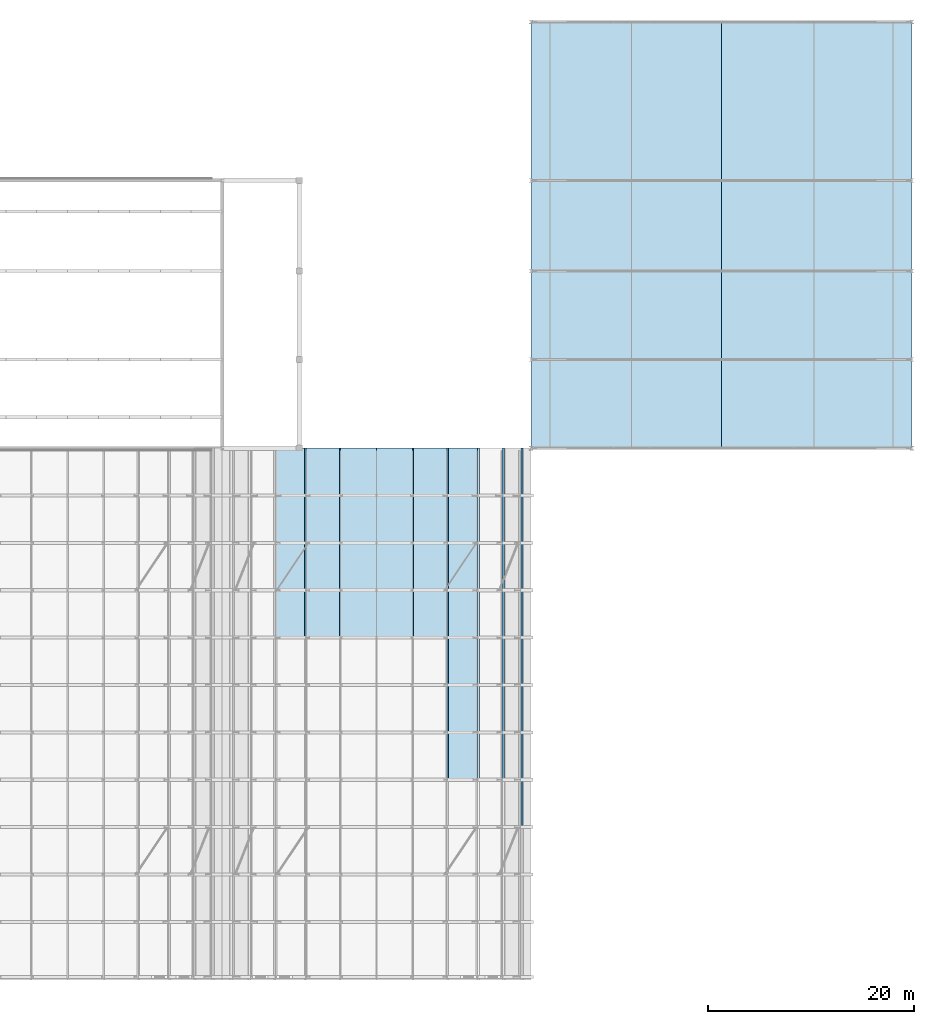
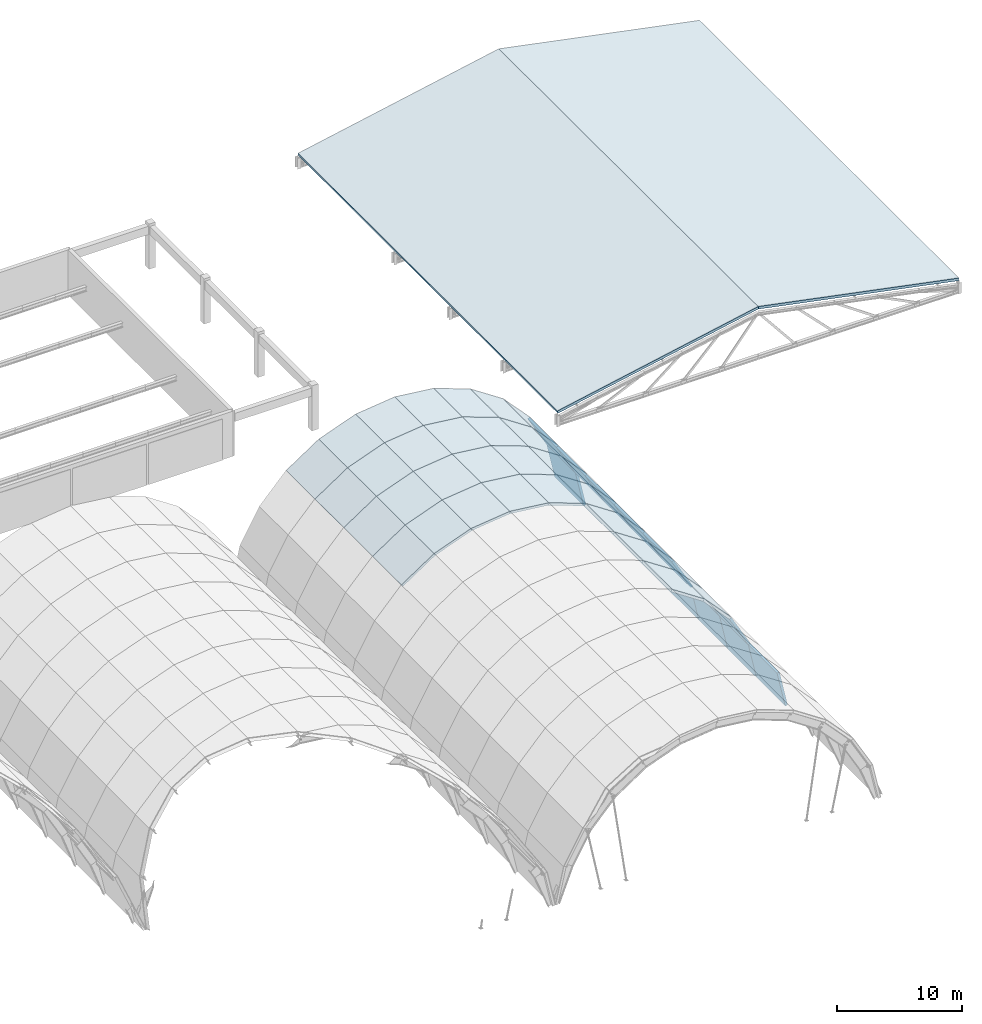
# One storey, part 25 of 47: 51 slabs, 2 elements without a shape of their own.
"""IFC4 building model written with IfcOpenShell, lengths in metres."""

from ifc_helpers import new_model, si_unit, direction, frame, origin, place, context, subcontext, project, spatial, polyline, outline, extrude, material, layer, layer_set, type_object, element, aggregate, save


model = new_model("IFC4")

# Units and contexts
model_context = context("Model", 3, precision=1e-05, world=origin(), true_north=direction((0.0, 1.0)))
body_context = subcontext(model_context, "Body", "Model", "MODEL_VIEW")
ifc_project = project(units=[si_unit("LENGTHUNIT", "METRE"), si_unit("AREAUNIT", "SQUARE_METRE"), si_unit("VOLUMEUNIT", "CUBIC_METRE"), si_unit("PLANEANGLEUNIT", "RADIAN"), si_unit("MASSUNIT", "GRAM", prefix="KILO")], contexts=[model_context])

# Site, building, storey
site_placement = place(None, origin())
site = spatial("IfcSite", under=ifc_project, at=site_placement, CompositionType="ELEMENT")
building_placement = place(site_placement, origin())
building = spatial("IfcBuilding", under=site, at=building_placement, Name="Muzn Square Opera House", CompositionType="ELEMENT")
storey_placement = place(building_placement, frame((0.0, 0.0, 31.0)))
storey = spatial("IfcBuildingStorey", under=building, at=storey_placement, Name="RF-1", CompositionType="ELEMENT", Elevation=31.0)

# Roof, slabs
ifc_material_1 = material(Name="Patina green copper-zinc standing seam", Category="metal")
roof_type_1 = type_object("IfcRoofType", Name="Barrel Vault Roof Assembly", PredefinedType="BARREL_ROOF", material=ifc_material_1)
roof_1_placement = place(storey_placement, origin())
roof_1 = element("IfcRoof", 1, at=roof_1_placement, inside=storey, type_object=roof_type_1, Name="East Foyer Barrel Vault Roof Assembly", PredefinedType="BARREL_ROOF")
ifc_material_2 = material(Name="Concrete C40/50", Category="concrete")
ifc_layer_1 = layer(ifc_material_2, 0.219970703125, Name="Concrete C40/50", Category="concrete")
ifc_layer_set_1 = layer_set([ifc_layer_1], Name="Concrete C40/50")
slab_type_1 = type_object("IfcSlabType", Name="Barrel Vault Roof Slab 220mm", PredefinedType="ROOF", material=ifc_layer_set_1)
slab_1_placement = place(storey_placement, frame((132.219970703125, 35.800048828125, -9.03564453125), z_axis=(0.97702538959, 0.0, 0.213122941272), x_axis=(0.213122941272, 0.0, -0.97702538959)))
slab_1 = element("IfcSlab", 2, at=slab_1_placement, type_object=slab_type_1, Name="Barrel Vault Roof Deck Strip V3-03-F11", PredefinedType="ROOF", context=body_context, shape_type="SweptSolid", body=[
    extrude(outline(polyline([(0.0, 0.0), (3.5523162058829336, 0.0), (3.5523162058829336, 4.599853515625), (0.0, 4.599853515625), (0.0, 0.0)])), origin(), (0.0, 0.0, -1.0), 0.219970703125),
])
slab_2_placement = place(storey_placement, frame((124.97607421875, 40.39990234375, -1.248046875), z_axis=(0.553701293488, 0.0, 0.832715364089), x_axis=(0.832715364089, 0.0, -0.553701293488)))
slab_2 = element("IfcSlab", 3, at=slab_2_placement, type_object=slab_type_1, Name="Barrel Vault Roof Deck Strip V3-04-F08", PredefinedType="ROOF", context=body_context, shape_type="SweptSolid", body=[
    extrude(outline(polyline([(0.0, 0.0), (3.611174007116638, 0.0), (3.611174007116638, 4.600097656249999), (0.0, 4.600097656249999), (0.0, 0.0)])), origin(), (0.0, 0.0, -1.0), 0.219970703125),
])
slab_3_placement = place(storey_placement, frame((127.983154296875, 40.39990234375, -3.24755859375), z_axis=(0.732198498352, 0.0, 0.681091300055), x_axis=(0.681091300055, 0.0, -0.732198498352)))
slab_3 = element("IfcSlab", 4, at=slab_3_placement, type_object=slab_type_1, Name="Barrel Vault Roof Deck Strip V3-04-F09", PredefinedType="ROOF", context=body_context, shape_type="SweptSolid", body=[
    extrude(outline(polyline([(0.0, 0.0), (3.611434761647482, 0.0), (3.611434761647482, 4.600097656250001), (0.0, 4.600097656250001), (0.0, 0.0)])), origin(), (0.0, 0.0, -1.0), 0.219970703125),
])
slab_4_placement = place(storey_placement, frame((130.44287109375, 40.39990234375, -5.891845703125), z_axis=(0.870542692247, 0.0, 0.492092898724), x_axis=(0.492092898724, 0.0, -0.870542692247)))
slab_4 = element("IfcSlab", 5, at=slab_4_placement, type_object=slab_type_1, Name="Barrel Vault Roof Deck Strip V3-04-F10", PredefinedType="ROOF", context=body_context, shape_type="SweptSolid", body=[
    extrude(outline(polyline([(0.0, 0.0), (3.611309193818898, 0.0), (3.611309193818898, 4.60009765625), (0.0, 4.60009765625), (0.0, 0.0)])), origin(), (0.0, 0.0, -1.0), 0.219970703125),
])
slab_5_placement = place(storey_placement, frame((132.219970703125, 40.39990234375, -9.03564453125), z_axis=(0.97702538959, 0.0, 0.213122941272), x_axis=(0.213122941272, 0.0, -0.97702538959)))
slab_5 = element("IfcSlab", 6, at=slab_5_placement, type_object=slab_type_1, Name="Barrel Vault Roof Deck Strip V3-04-F11", PredefinedType="ROOF", context=body_context, shape_type="SweptSolid", body=[
    extrude(outline(polyline([(0.0, 0.0), (3.5523162058829336, 0.0), (3.5523162058829336, 4.60009765625), (0.0, 4.60009765625), (0.0, 0.0)])), origin(), (0.0, 0.0, -1.0), 0.219970703125),
])
slab_6_placement = place(storey_placement, frame((124.97607421875, 45.0, -1.248046875), z_axis=(0.553701293488, 0.0, 0.832715364089), x_axis=(0.832715364089, 0.0, -0.553701293488)))
slab_6 = element("IfcSlab", 7, at=slab_6_placement, type_object=slab_type_1, Name="Barrel Vault Roof Deck Strip V3-05-F08", PredefinedType="ROOF", context=body_context, shape_type="SweptSolid", body=[
    extrude(outline(polyline([(0.0, 0.0), (3.611174007116638, 0.0), (3.611174007116638, 4.600097656249999), (0.0, 4.600097656249999), (0.0, 0.0)])), origin(), (0.0, 0.0, -1.0), 0.219970703125),
])
slab_7_placement = place(storey_placement, frame((127.983154296875, 45.0, -3.24755859375), z_axis=(0.732198498352, 0.0, 0.681091300055), x_axis=(0.681091300055, 0.0, -0.732198498352)))
slab_7 = element("IfcSlab", 8, at=slab_7_placement, type_object=slab_type_1, Name="Barrel Vault Roof Deck Strip V3-05-F09", PredefinedType="ROOF", context=body_context, shape_type="SweptSolid", body=[
    extrude(outline(polyline([(0.0, 0.0), (3.611434761647482, 0.0), (3.611434761647482, 4.600097656250001), (0.0, 4.600097656250001), (0.0, 0.0)])), origin(), (0.0, 0.0, -1.0), 0.219970703125),
])
slab_8_placement = place(storey_placement, frame((130.44287109375, 45.0, -5.891845703125), z_axis=(0.870542692247, 0.0, 0.492092898724), x_axis=(0.492092898724, 0.0, -0.870542692247)))
slab_8 = element("IfcSlab", 9, at=slab_8_placement, type_object=slab_type_1, Name="Barrel Vault Roof Deck Strip V3-05-F10", PredefinedType="ROOF", context=body_context, shape_type="SweptSolid", body=[
    extrude(outline(polyline([(0.0, 0.0), (3.611309193818898, 0.0), (3.611309193818898, 4.60009765625), (0.0, 4.60009765625), (0.0, 0.0)])), origin(), (0.0, 0.0, -1.0), 0.219970703125),
])
slab_9_placement = place(storey_placement, frame((132.219970703125, 45.0, -9.03564453125), z_axis=(0.97702538959, 0.0, 0.213122941272), x_axis=(0.213122941272, 0.0, -0.97702538959)))
slab_9 = element("IfcSlab", 10, at=slab_9_placement, type_object=slab_type_1, Name="Barrel Vault Roof Deck Strip V3-05-F11", PredefinedType="ROOF", context=body_context, shape_type="SweptSolid", body=[
    extrude(outline(polyline([(0.0, 0.0), (3.5523162058829336, 0.0), (3.5523162058829336, 4.60009765625), (0.0, 4.60009765625), (0.0, 0.0)])), origin(), (0.0, 0.0, -1.0), 0.219970703125),
])
slab_10_placement = place(storey_placement, frame((124.97607421875, 49.60009765625, -1.248046875), z_axis=(0.553701293488, 0.0, 0.832715364089), x_axis=(0.832715364089, 0.0, -0.553701293488)))
slab_10 = element("IfcSlab", 11, at=slab_10_placement, type_object=slab_type_1, Name="Barrel Vault Roof Deck Strip V3-06-F08", PredefinedType="ROOF", context=body_context, shape_type="SweptSolid", body=[
    extrude(outline(polyline([(0.0, 0.0), (3.611174007116638, 0.0), (3.611174007116638, 4.599853515625), (0.0, 4.599853515625), (0.0, 0.0)])), origin(), (0.0, 0.0, -1.0), 0.219970703125),
])
slab_11_placement = place(storey_placement, frame((127.983154296875, 49.60009765625, -3.24755859375), z_axis=(0.732198498352, 0.0, 0.681091300055), x_axis=(0.681091300055, 0.0, -0.732198498352)))
slab_11 = element("IfcSlab", 12, at=slab_11_placement, type_object=slab_type_1, Name="Barrel Vault Roof Deck Strip V3-06-F09", PredefinedType="ROOF", context=body_context, shape_type="SweptSolid", body=[
    extrude(outline(polyline([(0.0, 0.0), (3.611434761647482, 0.0), (3.611434761647482, 4.599853515625), (0.0, 4.599853515625), (0.0, 0.0)])), origin(), (0.0, 0.0, -1.0), 0.219970703125),
])
slab_12_placement = place(storey_placement, frame((130.44287109375, 49.60009765625, -5.891845703125), z_axis=(0.870542692247, 0.0, 0.492092898724), x_axis=(0.492092898724, 0.0, -0.870542692247)))
slab_12 = element("IfcSlab", 13, at=slab_12_placement, type_object=slab_type_1, Name="Barrel Vault Roof Deck Strip V3-06-F10", PredefinedType="ROOF", context=body_context, shape_type="SweptSolid", body=[
    extrude(outline(polyline([(0.0, 0.0), (3.611309193818898, 0.0), (3.611309193818898, 4.599853515625), (0.0, 4.599853515625), (0.0, 0.0)])), origin(), (0.0, 0.0, -1.0), 0.219970703125),
])
slab_13_placement = place(storey_placement, frame((132.219970703125, 49.60009765625, -9.03564453125), z_axis=(0.97702538959, 0.0, 0.213122941272), x_axis=(0.213122941272, 0.0, -0.97702538959)))
slab_13 = element("IfcSlab", 14, at=slab_13_placement, type_object=slab_type_1, Name="Barrel Vault Roof Deck Strip V3-06-F11", PredefinedType="ROOF", context=body_context, shape_type="SweptSolid", body=[
    extrude(outline(polyline([(0.0, 0.0), (3.5523162058829336, 0.0), (3.5523162058829336, 4.599853515625), (0.0, 4.599853515625), (0.0, 0.0)])), origin(), (0.0, 0.0, -1.0), 0.219970703125),
])
slab_14_placement = place(storey_placement, frame((111.02392578125, 54.199951171875, -1.248046875), z_axis=(-0.553701293488, 0.0, 0.832715364089), x_axis=(0.0, 1.0, 0.0)))
slab_14 = element("IfcSlab", 15, at=slab_14_placement, type_object=slab_type_1, Name="Barrel Vault Roof Deck Strip V3-07-F03", PredefinedType="ROOF", context=body_context, shape_type="SweptSolid", body=[
    extrude(outline(polyline([(0.0, 3.611174007116637), (0.0, 0.0), (4.60009765625, 0.0), (4.60009765625, 3.611174007116637), (0.0, 3.611174007116637)])), origin(), (0.0, 0.0, -1.0), 0.219970703125),
])
slab_15_placement = place(storey_placement, frame((114.41357421875, 54.199951171875, -0.00244140625), z_axis=(-0.344922006795, 0.0, 0.938631348948), x_axis=(0.0, 1.0, 0.0)))
slab_15 = element("IfcSlab", 16, at=slab_15_placement, type_object=slab_type_1, Name="Barrel Vault Roof Deck Strip V3-07-F04", PredefinedType="ROOF", context=body_context, shape_type="SweptSolid", body=[
    extrude(outline(polyline([(0.0, 3.6112670233072075), (0.0, 0.0), (4.60009765625, 0.0), (4.60009765625, 3.6112670233072075), (0.0, 3.6112670233072075)])), origin(), (0.0, 0.0, -1.0), 0.219970703125),
])
slab_16_placement = place(storey_placement, frame((118.0, 54.199951171875, 0.419921875), z_axis=(-0.116958923267, 0.0, 0.993136753055), x_axis=(0.0, 1.0, 0.0)))
slab_16 = element("IfcSlab", 17, at=slab_16_placement, type_object=slab_type_1, Name="Barrel Vault Roof Deck Strip V3-07-F05", PredefinedType="ROOF", context=body_context, shape_type="SweptSolid", body=[
    extrude(outline(polyline([(0.0, 3.611210410065154), (0.0, 0.0), (4.60009765625, 0.0), (4.60009765625, 3.611210410065154), (0.0, 3.611210410065154)])), origin(), (0.0, 0.0, -1.0), 0.219970703125),
])
slab_17_placement = place(storey_placement, frame((118.0, 54.199951171875, 0.419921875), z_axis=(0.116958923267, 0.0, 0.993136753055), x_axis=(0.993136753055, 0.0, -0.116958923267)))
slab_17 = element("IfcSlab", 18, at=slab_17_placement, type_object=slab_type_1, Name="Barrel Vault Roof Deck Strip V3-07-F06", PredefinedType="ROOF", context=body_context, shape_type="SweptSolid", body=[
    extrude(outline(polyline([(0.0, 0.0), (3.611210410065154, 0.0), (3.611210410065154, 4.60009765625), (0.0, 4.60009765625), (0.0, 0.0)])), origin(), (0.0, 0.0, -1.0), 0.219970703125),
])
slab_18_placement = place(storey_placement, frame((121.58642578125, 54.199951171875, -0.00244140625), z_axis=(0.344922006795, 0.0, 0.938631348948), x_axis=(0.938631348948, 0.0, -0.344922006795)))
slab_18 = element("IfcSlab", 19, at=slab_18_placement, type_object=slab_type_1, Name="Barrel Vault Roof Deck Strip V3-07-F07", PredefinedType="ROOF", context=body_context, shape_type="SweptSolid", body=[
    extrude(outline(polyline([(0.0, 0.0), (3.6112670233072075, 0.0), (3.6112670233072075, 4.60009765625), (0.0, 4.60009765625), (0.0, 0.0)])), origin(), (0.0, 0.0, -1.0), 0.219970703125),
])
slab_19_placement = place(storey_placement, frame((124.97607421875, 54.199951171875, -1.248046875), z_axis=(0.553701293488, 0.0, 0.832715364089), x_axis=(0.832715364089, 0.0, -0.553701293488)))
slab_19 = element("IfcSlab", 20, at=slab_19_placement, type_object=slab_type_1, Name="Barrel Vault Roof Deck Strip V3-07-F08", PredefinedType="ROOF", context=body_context, shape_type="SweptSolid", body=[
    extrude(outline(polyline([(0.0, 0.0), (3.611174007116638, 0.0), (3.611174007116638, 4.600097656249999), (0.0, 4.600097656249999), (0.0, 0.0)])), origin(), (0.0, 0.0, -1.0), 0.219970703125),
])
slab_20_placement = place(storey_placement, frame((127.983154296875, 54.199951171875, -3.24755859375), z_axis=(0.732198498352, 0.0, 0.681091300055), x_axis=(0.681091300055, 0.0, -0.732198498352)))
slab_20 = element("IfcSlab", 21, at=slab_20_placement, type_object=slab_type_1, Name="Barrel Vault Roof Deck Strip V3-07-F09", PredefinedType="ROOF", context=body_context, shape_type="SweptSolid", body=[
    extrude(outline(polyline([(0.0, 0.0), (3.611434761647482, 0.0), (3.611434761647482, 4.600097656250001), (0.0, 4.600097656250001), (0.0, 0.0)])), origin(), (0.0, 0.0, -1.0), 0.219970703125),
])
slab_21_placement = place(storey_placement, frame((130.44287109375, 54.199951171875, -5.891845703125), z_axis=(0.870542692247, 0.0, 0.492092898724), x_axis=(0.492092898724, 0.0, -0.870542692247)))
slab_21 = element("IfcSlab", 22, at=slab_21_placement, type_object=slab_type_1, Name="Barrel Vault Roof Deck Strip V3-07-F10", PredefinedType="ROOF", context=body_context, shape_type="SweptSolid", body=[
    extrude(outline(polyline([(0.0, 0.0), (3.611309193818898, 0.0), (3.611309193818898, 4.60009765625), (0.0, 4.60009765625), (0.0, 0.0)])), origin(), (0.0, 0.0, -1.0), 0.219970703125),
])
slab_22_placement = place(storey_placement, frame((132.219970703125, 54.199951171875, -9.03564453125), z_axis=(0.97702538959, 0.0, 0.213122941272), x_axis=(0.213122941272, 0.0, -0.97702538959)))
slab_22 = element("IfcSlab", 23, at=slab_22_placement, type_object=slab_type_1, Name="Barrel Vault Roof Deck Strip V3-07-F11", PredefinedType="ROOF", context=body_context, shape_type="SweptSolid", body=[
    extrude(outline(polyline([(0.0, 0.0), (3.5523162058829336, 0.0), (3.5523162058829336, 4.60009765625), (0.0, 4.60009765625), (0.0, 0.0)])), origin(), (0.0, 0.0, -1.0), 0.219970703125),
])
slab_23_placement = place(storey_placement, frame((111.02392578125, 58.800048828125, -1.248046875), z_axis=(-0.553701293488, 0.0, 0.832715364089), x_axis=(0.0, 1.0, 0.0)))
slab_23 = element("IfcSlab", 24, at=slab_23_placement, type_object=slab_type_1, Name="Barrel Vault Roof Deck Strip V3-08-F03", PredefinedType="ROOF", context=body_context, shape_type="SweptSolid", body=[
    extrude(outline(polyline([(0.0, 3.6111740071166376), (0.0, 0.0), (4.599853515625, 0.0), (4.599853515625, 3.6111740071166376), (0.0, 3.6111740071166376)])), origin(), (0.0, 0.0, -1.0), 0.219970703125),
])
slab_24_placement = place(storey_placement, frame((114.41357421875, 58.800048828125, -0.00244140625), z_axis=(-0.344922006795, 0.0, 0.938631348948), x_axis=(0.0, 1.0, 0.0)))
slab_24 = element("IfcSlab", 25, at=slab_24_placement, type_object=slab_type_1, Name="Barrel Vault Roof Deck Strip V3-08-F04", PredefinedType="ROOF", context=body_context, shape_type="SweptSolid", body=[
    extrude(outline(polyline([(0.0, 3.6112670233072075), (0.0, 0.0), (4.599853515625, 0.0), (4.599853515625, 3.6112670233072075), (0.0, 3.6112670233072075)])), origin(), (0.0, 0.0, -1.0), 0.219970703125),
])
slab_25_placement = place(storey_placement, frame((118.0, 58.800048828125, 0.419921875), z_axis=(-0.116958923267, 0.0, 0.993136753055), x_axis=(0.0, 1.0, 0.0)))
slab_25 = element("IfcSlab", 26, at=slab_25_placement, type_object=slab_type_1, Name="Barrel Vault Roof Deck Strip V3-08-F05", PredefinedType="ROOF", context=body_context, shape_type="SweptSolid", body=[
    extrude(outline(polyline([(0.0, 3.611210410065154), (0.0, 0.0), (4.599853515625, 0.0), (4.599853515625, 3.611210410065154), (0.0, 3.611210410065154)])), origin(), (0.0, 0.0, -1.0), 0.219970703125),
])
slab_26_placement = place(storey_placement, frame((118.0, 58.800048828125, 0.419921875), z_axis=(0.116958923267, 0.0, 0.993136753055), x_axis=(0.993136753055, 0.0, -0.116958923267)))
slab_26 = element("IfcSlab", 27, at=slab_26_placement, type_object=slab_type_1, Name="Barrel Vault Roof Deck Strip V3-08-F06", PredefinedType="ROOF", context=body_context, shape_type="SweptSolid", body=[
    extrude(outline(polyline([(0.0, 0.0), (3.611210410065154, 0.0), (3.611210410065154, 4.599853515625), (0.0, 4.599853515625), (0.0, 0.0)])), origin(), (0.0, 0.0, -1.0), 0.219970703125),
])
slab_27_placement = place(storey_placement, frame((121.58642578125, 58.800048828125, -0.00244140625), z_axis=(0.344922006795, 0.0, 0.938631348948), x_axis=(0.938631348948, 0.0, -0.344922006795)))
slab_27 = element("IfcSlab", 28, at=slab_27_placement, type_object=slab_type_1, Name="Barrel Vault Roof Deck Strip V3-08-F07", PredefinedType="ROOF", context=body_context, shape_type="SweptSolid", body=[
    extrude(outline(polyline([(0.0, 0.0), (3.6112670233072075, 0.0), (3.6112670233072075, 4.599853515625), (0.0, 4.599853515625), (0.0, 0.0)])), origin(), (0.0, 0.0, -1.0), 0.219970703125),
])
slab_28_placement = place(storey_placement, frame((124.97607421875, 58.800048828125, -1.248046875), z_axis=(0.553701293488, 0.0, 0.832715364089), x_axis=(0.832715364089, 0.0, -0.553701293488)))
slab_28 = element("IfcSlab", 29, at=slab_28_placement, type_object=slab_type_1, Name="Barrel Vault Roof Deck Strip V3-08-F08", PredefinedType="ROOF", context=body_context, shape_type="SweptSolid", body=[
    extrude(outline(polyline([(0.0, 0.0), (3.611174007116638, 0.0), (3.611174007116638, 4.599853515625), (0.0, 4.599853515625), (0.0, 0.0)])), origin(), (0.0, 0.0, -1.0), 0.219970703125),
])
slab_29_placement = place(storey_placement, frame((127.983154296875, 58.800048828125, -3.24755859375), z_axis=(0.732198498352, 0.0, 0.681091300055), x_axis=(0.681091300055, 0.0, -0.732198498352)))
slab_29 = element("IfcSlab", 30, at=slab_29_placement, type_object=slab_type_1, Name="Barrel Vault Roof Deck Strip V3-08-F09", PredefinedType="ROOF", context=body_context, shape_type="SweptSolid", body=[
    extrude(outline(polyline([(0.0, 0.0), (3.611434761647482, 0.0), (3.611434761647482, 4.599853515625), (0.0, 4.599853515625), (0.0, 0.0)])), origin(), (0.0, 0.0, -1.0), 0.219970703125),
])
slab_30_placement = place(storey_placement, frame((130.44287109375, 58.800048828125, -5.891845703125), z_axis=(0.870542692247, 0.0, 0.492092898724), x_axis=(0.492092898724, 0.0, -0.870542692247)))
slab_30 = element("IfcSlab", 31, at=slab_30_placement, type_object=slab_type_1, Name="Barrel Vault Roof Deck Strip V3-08-F10", PredefinedType="ROOF", context=body_context, shape_type="SweptSolid", body=[
    extrude(outline(polyline([(0.0, 0.0), (3.611309193818898, 0.0), (3.611309193818898, 4.599853515625), (0.0, 4.599853515625), (0.0, 0.0)])), origin(), (0.0, 0.0, -1.0), 0.219970703125),
])
slab_31_placement = place(storey_placement, frame((132.219970703125, 58.800048828125, -9.03564453125), z_axis=(0.97702538959, 0.0, 0.213122941272), x_axis=(0.213122941272, 0.0, -0.97702538959)))
slab_31 = element("IfcSlab", 32, at=slab_31_placement, type_object=slab_type_1, Name="Barrel Vault Roof Deck Strip V3-08-F11", PredefinedType="ROOF", context=body_context, shape_type="SweptSolid", body=[
    extrude(outline(polyline([(0.0, 0.0), (3.5523162058829336, 0.0), (3.5523162058829336, 4.599853515625), (0.0, 4.599853515625), (0.0, 0.0)])), origin(), (0.0, 0.0, -1.0), 0.219970703125),
])
slab_32_placement = place(storey_placement, frame((111.02392578125, 63.39990234375, -1.248046875), z_axis=(-0.553701293488, 0.0, 0.832715364089), x_axis=(0.0, 1.0, 0.0)))
slab_32 = element("IfcSlab", 33, at=slab_32_placement, type_object=slab_type_1, Name="Barrel Vault Roof Deck Strip V3-09-F03", PredefinedType="ROOF", context=body_context, shape_type="SweptSolid", body=[
    extrude(outline(polyline([(0.0, 3.611174007116637), (0.0, 0.0), (4.60009765625, 0.0), (4.60009765625, 3.611174007116637), (0.0, 3.611174007116637)])), origin(), (0.0, 0.0, -1.0), 0.219970703125),
])
slab_33_placement = place(storey_placement, frame((114.41357421875, 63.39990234375, -0.00244140625), z_axis=(-0.344922006795, 0.0, 0.938631348948), x_axis=(0.0, 1.0, 0.0)))
slab_33 = element("IfcSlab", 34, at=slab_33_placement, type_object=slab_type_1, Name="Barrel Vault Roof Deck Strip V3-09-F04", PredefinedType="ROOF", context=body_context, shape_type="SweptSolid", body=[
    extrude(outline(polyline([(0.0, 3.6112670233072075), (0.0, 0.0), (4.60009765625, 0.0), (4.60009765625, 3.6112670233072075), (0.0, 3.6112670233072075)])), origin(), (0.0, 0.0, -1.0), 0.219970703125),
])
slab_34_placement = place(storey_placement, frame((118.0, 63.39990234375, 0.419921875), z_axis=(-0.116958923267, 0.0, 0.993136753055), x_axis=(0.0, 1.0, 0.0)))
slab_34 = element("IfcSlab", 35, at=slab_34_placement, type_object=slab_type_1, Name="Barrel Vault Roof Deck Strip V3-09-F05", PredefinedType="ROOF", context=body_context, shape_type="SweptSolid", body=[
    extrude(outline(polyline([(0.0, 3.611210410065154), (0.0, 0.0), (4.60009765625, 0.0), (4.60009765625, 3.611210410065154), (0.0, 3.611210410065154)])), origin(), (0.0, 0.0, -1.0), 0.219970703125),
])
slab_35_placement = place(storey_placement, frame((118.0, 63.39990234375, 0.419921875), z_axis=(0.116958923267, 0.0, 0.993136753055), x_axis=(0.993136753055, 0.0, -0.116958923267)))
slab_35 = element("IfcSlab", 36, at=slab_35_placement, type_object=slab_type_1, Name="Barrel Vault Roof Deck Strip V3-09-F06", PredefinedType="ROOF", context=body_context, shape_type="SweptSolid", body=[
    extrude(outline(polyline([(0.0, 0.0), (3.611210410065154, 0.0), (3.611210410065154, 4.60009765625), (0.0, 4.60009765625), (0.0, 0.0)])), origin(), (0.0, 0.0, -1.0), 0.219970703125),
])
slab_36_placement = place(storey_placement, frame((121.58642578125, 63.39990234375, -0.00244140625), z_axis=(0.344922006795, 0.0, 0.938631348948), x_axis=(0.938631348948, 0.0, -0.344922006795)))
slab_36 = element("IfcSlab", 37, at=slab_36_placement, type_object=slab_type_1, Name="Barrel Vault Roof Deck Strip V3-09-F07", PredefinedType="ROOF", context=body_context, shape_type="SweptSolid", body=[
    extrude(outline(polyline([(0.0, 0.0), (3.6112670233072075, 0.0), (3.6112670233072075, 4.60009765625), (0.0, 4.60009765625), (0.0, 0.0)])), origin(), (0.0, 0.0, -1.0), 0.219970703125),
])
slab_37_placement = place(storey_placement, frame((124.97607421875, 63.39990234375, -1.248046875), z_axis=(0.553701293488, 0.0, 0.832715364089), x_axis=(0.832715364089, 0.0, -0.553701293488)))
slab_37 = element("IfcSlab", 38, at=slab_37_placement, type_object=slab_type_1, Name="Barrel Vault Roof Deck Strip V3-09-F08", PredefinedType="ROOF", context=body_context, shape_type="SweptSolid", body=[
    extrude(outline(polyline([(0.0, 0.0), (3.611174007116638, 0.0), (3.611174007116638, 4.600097656249999), (0.0, 4.600097656249999), (0.0, 0.0)])), origin(), (0.0, 0.0, -1.0), 0.219970703125),
])
slab_38_placement = place(storey_placement, frame((127.983154296875, 63.39990234375, -3.24755859375), z_axis=(0.732198498352, 0.0, 0.681091300055), x_axis=(0.681091300055, 0.0, -0.732198498352)))
slab_38 = element("IfcSlab", 39, at=slab_38_placement, type_object=slab_type_1, Name="Barrel Vault Roof Deck Strip V3-09-F09", PredefinedType="ROOF", context=body_context, shape_type="SweptSolid", body=[
    extrude(outline(polyline([(0.0, 0.0), (3.611434761647482, 0.0), (3.611434761647482, 4.600097656250001), (0.0, 4.600097656250001), (0.0, 0.0)])), origin(), (0.0, 0.0, -1.0), 0.219970703125),
])
slab_39_placement = place(storey_placement, frame((130.44287109375, 63.39990234375, -5.891845703125), z_axis=(0.870542692247, 0.0, 0.492092898724), x_axis=(0.492092898724, 0.0, -0.870542692247)))
slab_39 = element("IfcSlab", 40, at=slab_39_placement, type_object=slab_type_1, Name="Barrel Vault Roof Deck Strip V3-09-F10", PredefinedType="ROOF", context=body_context, shape_type="SweptSolid", body=[
    extrude(outline(polyline([(0.0, 0.0), (3.611309193818898, 0.0), (3.611309193818898, 4.60009765625), (0.0, 4.60009765625), (0.0, 0.0)])), origin(), (0.0, 0.0, -1.0), 0.219970703125),
])
slab_40_placement = place(storey_placement, frame((132.219970703125, 63.39990234375, -9.03564453125), z_axis=(0.97702538959, 0.0, 0.213122941272), x_axis=(0.213122941272, 0.0, -0.97702538959)))
slab_40 = element("IfcSlab", 41, at=slab_40_placement, type_object=slab_type_1, Name="Barrel Vault Roof Deck Strip V3-09-F11", PredefinedType="ROOF", context=body_context, shape_type="SweptSolid", body=[
    extrude(outline(polyline([(0.0, 0.0), (3.5523162058829336, 0.0), (3.5523162058829336, 4.60009765625), (0.0, 4.60009765625), (0.0, 0.0)])), origin(), (0.0, 0.0, -1.0), 0.219970703125),
])
slab_41_placement = place(storey_placement, frame((111.02392578125, 68.0, -1.248046875), z_axis=(-0.553701293488, 0.0, 0.832715364089), x_axis=(0.0, 1.0, 0.0)))
slab_41 = element("IfcSlab", 42, at=slab_41_placement, type_object=slab_type_1, Name="Barrel Vault Roof Deck Strip V3-10-F03", PredefinedType="ROOF", context=body_context, shape_type="SweptSolid", body=[
    extrude(outline(polyline([(0.0, 3.611174007116637), (0.0, 0.0), (4.60009765625, 0.0), (4.60009765625, 3.611174007116637), (0.0, 3.611174007116637)])), origin(), (0.0, 0.0, -1.0), 0.219970703125),
])
slab_42_placement = place(storey_placement, frame((114.41357421875, 68.0, -0.00244140625), z_axis=(-0.344922006795, 0.0, 0.938631348948), x_axis=(0.0, 1.0, 0.0)))
slab_42 = element("IfcSlab", 43, at=slab_42_placement, type_object=slab_type_1, Name="Barrel Vault Roof Deck Strip V3-10-F04", PredefinedType="ROOF", context=body_context, shape_type="SweptSolid", body=[
    extrude(outline(polyline([(0.0, 3.6112670233072075), (0.0, 0.0), (4.60009765625, 0.0), (4.60009765625, 3.6112670233072075), (0.0, 3.6112670233072075)])), origin(), (0.0, 0.0, -1.0), 0.219970703125),
])
slab_43_placement = place(storey_placement, frame((118.0, 68.0, 0.419921875), z_axis=(-0.116958923267, 0.0, 0.993136753055), x_axis=(0.0, 1.0, 0.0)))
slab_43 = element("IfcSlab", 44, at=slab_43_placement, type_object=slab_type_1, Name="Barrel Vault Roof Deck Strip V3-10-F05", PredefinedType="ROOF", context=body_context, shape_type="SweptSolid", body=[
    extrude(outline(polyline([(0.0, 3.611210410065154), (0.0, 0.0), (4.60009765625, 0.0), (4.60009765625, 3.611210410065154), (0.0, 3.611210410065154)])), origin(), (0.0, 0.0, -1.0), 0.219970703125),
])
slab_44_placement = place(storey_placement, frame((118.0, 68.0, 0.419921875), z_axis=(0.116958923267, 0.0, 0.993136753055), x_axis=(0.993136753055, 0.0, -0.116958923267)))
slab_44 = element("IfcSlab", 45, at=slab_44_placement, type_object=slab_type_1, Name="Barrel Vault Roof Deck Strip V3-10-F06", PredefinedType="ROOF", context=body_context, shape_type="SweptSolid", body=[
    extrude(outline(polyline([(0.0, 0.0), (3.611210410065154, 0.0), (3.611210410065154, 4.60009765625), (0.0, 4.60009765625), (0.0, 0.0)])), origin(), (0.0, 0.0, -1.0), 0.219970703125),
])
slab_45_placement = place(storey_placement, frame((121.58642578125, 68.0, -0.00244140625), z_axis=(0.344922006795, 0.0, 0.938631348948), x_axis=(0.938631348948, 0.0, -0.344922006795)))
slab_45 = element("IfcSlab", 46, at=slab_45_placement, type_object=slab_type_1, Name="Barrel Vault Roof Deck Strip V3-10-F07", PredefinedType="ROOF", context=body_context, shape_type="SweptSolid", body=[
    extrude(outline(polyline([(0.0, 0.0), (3.6112670233072075, 0.0), (3.6112670233072075, 4.60009765625), (0.0, 4.60009765625), (0.0, 0.0)])), origin(), (0.0, 0.0, -1.0), 0.219970703125),
])
slab_46_placement = place(storey_placement, frame((124.97607421875, 68.0, -1.248046875), z_axis=(0.553701293488, 0.0, 0.832715364089), x_axis=(0.832715364089, 0.0, -0.553701293488)))
slab_46 = element("IfcSlab", 47, at=slab_46_placement, type_object=slab_type_1, Name="Barrel Vault Roof Deck Strip V3-10-F08", PredefinedType="ROOF", context=body_context, shape_type="SweptSolid", body=[
    extrude(outline(polyline([(0.0, 0.0), (3.611174007116638, 0.0), (3.611174007116638, 4.600097656249999), (0.0, 4.600097656249999), (0.0, 0.0)])), origin(), (0.0, 0.0, -1.0), 0.219970703125),
])
slab_47_placement = place(storey_placement, frame((127.983154296875, 68.0, -3.24755859375), z_axis=(0.732198498352, 0.0, 0.681091300055), x_axis=(0.681091300055, 0.0, -0.732198498352)))
slab_47 = element("IfcSlab", 48, at=slab_47_placement, type_object=slab_type_1, Name="Barrel Vault Roof Deck Strip V3-10-F09", PredefinedType="ROOF", context=body_context, shape_type="SweptSolid", body=[
    extrude(outline(polyline([(0.0, 0.0), (3.611434761647482, 0.0), (3.611434761647482, 4.600097656250001), (0.0, 4.600097656250001), (0.0, 0.0)])), origin(), (0.0, 0.0, -1.0), 0.219970703125),
])
slab_48_placement = place(storey_placement, frame((130.44287109375, 68.0, -5.891845703125), z_axis=(0.870542692247, 0.0, 0.492092898724), x_axis=(0.492092898724, 0.0, -0.870542692247)))
slab_48 = element("IfcSlab", 49, at=slab_48_placement, type_object=slab_type_1, Name="Barrel Vault Roof Deck Strip V3-10-F10", PredefinedType="ROOF", context=body_context, shape_type="SweptSolid", body=[
    extrude(outline(polyline([(0.0, 0.0), (3.611309193818898, 0.0), (3.611309193818898, 4.60009765625), (0.0, 4.60009765625), (0.0, 0.0)])), origin(), (0.0, 0.0, -1.0), 0.219970703125),
])
slab_49_placement = place(storey_placement, frame((132.219970703125, 68.0, -9.03564453125), z_axis=(0.97702538959, 0.0, 0.213122941272), x_axis=(0.213122941272, 0.0, -0.97702538959)))
slab_49 = element("IfcSlab", 50, at=slab_49_placement, type_object=slab_type_1, Name="Barrel Vault Roof Deck Strip V3-10-F11", PredefinedType="ROOF", context=body_context, shape_type="SweptSolid", body=[
    extrude(outline(polyline([(0.0, 0.0), (3.5523162058829336, 0.0), (3.5523162058829336, 4.60009765625), (0.0, 4.60009765625), (0.0, 0.0)])), origin(), (0.0, 0.0, -1.0), 0.219970703125),
])
aggregate(roof_1, [slab_1, slab_2, slab_3, slab_4, slab_5, slab_6, slab_7, slab_8, slab_9, slab_10, slab_11, slab_12, slab_13, slab_14, slab_15, slab_16, slab_17, slab_18, slab_19, slab_20, slab_21, slab_22, slab_23, slab_24, slab_25, slab_26, slab_27, slab_28, slab_29, slab_30, slab_31, slab_32, slab_33, slab_34, slab_35, slab_36, slab_37, slab_38, slab_39, slab_40, slab_41, slab_42, slab_43, slab_44, slab_45, slab_46, slab_47, slab_48, slab_49])

roof_type_2 = type_object("IfcRoofType", Name="Pitched Pavilion Roof Assembly", PredefinedType="GABLE_ROOF", material=ifc_material_1)
roof_2_placement = place(storey_placement, origin())
roof_2 = element("IfcRoof", 51, at=roof_2_placement, inside=storey, type_object=roof_type_2, Name="Rehearsal Pavilion Pitched Acoustic Roof Assembly", PredefinedType="GABLE_ROOF")
ifc_layer_2 = layer(ifc_material_2, 0.25, Name="Concrete C40/50", Category="concrete")
ifc_layer_set_2 = layer_set([ifc_layer_2], Name="Concrete C40/50")
slab_type_2 = type_object("IfcSlabType", Name="Roof Slab 250mm", PredefinedType="ROOF", material=ifc_layer_set_2)
slab_50_placement = place(storey_placement, frame((151.5, 72.60009765625, -2.5), z_axis=(-0.196113646575, 0.0, 0.9805811734), x_axis=(0.0, 1.0, 0.0)))
slab_50 = element("IfcSlab", 52, at=slab_50_placement, type_object=slab_type_2, Name="Rehearsal Pavilion West Pitched Roof Slab", PredefinedType="ROOF", context=body_context, shape_type="SweptSolid", body=[
    extrude(outline(polyline([(0.0, 18.866362624370897), (0.0, 0.0), (41.39990234375, 0.0), (41.39990234375, 18.866362624370897), (0.0, 18.866362624370897)])), origin(), (0.0, 0.0, -1.0), 0.25),
])
slab_51_placement = place(storey_placement, frame((151.5, 72.60009765625, -2.5), z_axis=(0.196113646575, 0.0, 0.9805811734), x_axis=(0.9805811734, 0.0, -0.196113646575)))
slab_51 = element("IfcSlab", 53, at=slab_51_placement, type_object=slab_type_2, Name="Rehearsal Pavilion East Pitched Roof Slab", PredefinedType="ROOF", context=body_context, shape_type="SweptSolid", body=[
    extrude(outline(polyline([(0.0, 0.0), (18.866362624370897, 0.0), (18.866362624370897, 41.39990234375), (0.0, 41.39990234375), (0.0, 0.0)])), origin(), (0.0, 0.0, -1.0), 0.25),
])
aggregate(roof_2, [slab_50, slab_51])

save(model, "model.ifc")
